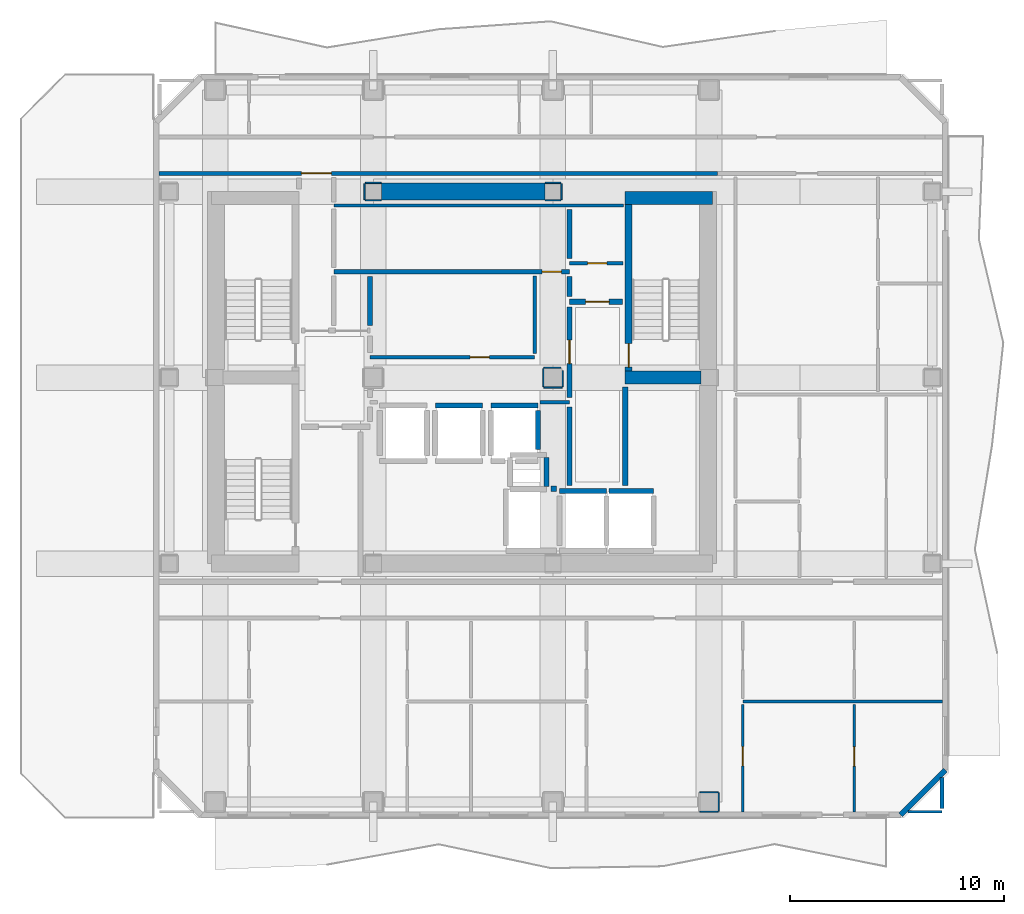
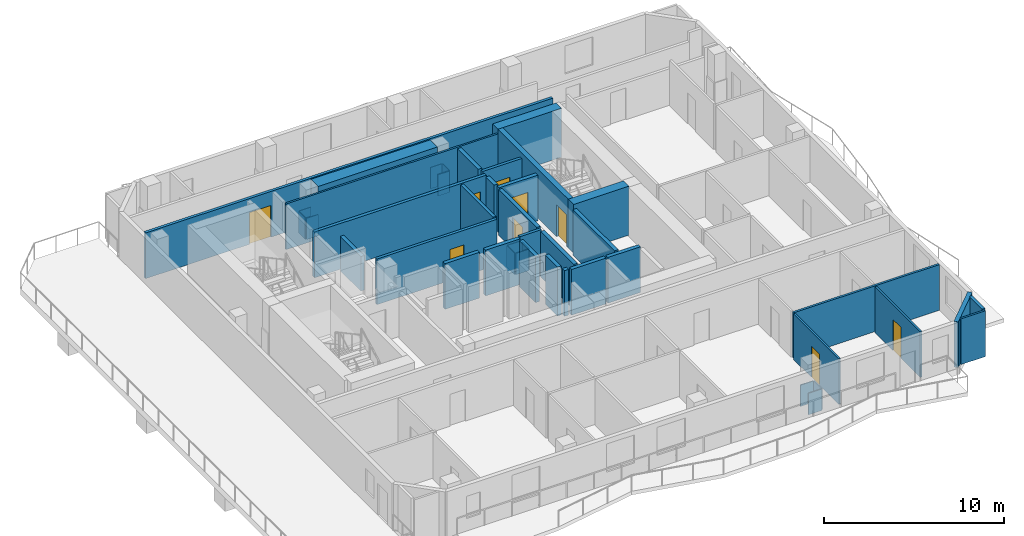
# One storey, part 4 of 10: 44 walls, 9 doors, 9 openings.
"""IFC4 building model written with IfcOpenShell, lengths in metres."""

from ifc_helpers import new_model, si_unit, direction, frame, frame_2d, origin, place, context, subcontext, project, spatial, rectangle, extrude, material, layer, layer_set, type_object, element, fill, save


model = new_model("IFC4")

# Units and contexts
model_context = context("Model", 3, precision=1e-05, world=origin(), true_north=direction((0.0, 1.0)))
body_context = subcontext(model_context, "Body", "Model", "MODEL_VIEW")
ifc_project = project(units=[si_unit("LENGTHUNIT", "METRE"), si_unit("AREAUNIT", "SQUARE_METRE"), si_unit("VOLUMEUNIT", "CUBIC_METRE"), si_unit("PLANEANGLEUNIT", "RADIAN"), si_unit("MASSUNIT", "GRAM", prefix="KILO")], contexts=[model_context])

# Site, building, storey
site_placement = place(None, origin())
site = spatial("IfcSite", under=ifc_project, at=site_placement, CompositionType="ELEMENT")
building_placement = place(site_placement, origin())
building = spatial("IfcBuilding", under=site, at=building_placement, Name="Solanera Arch Residences", CompositionType="ELEMENT")
storey_placement = place(building_placement, frame((0.0, 0.0, 210.080078125)))
storey = spatial("IfcBuildingStorey", under=building, at=storey_placement, Name="L61", CompositionType="ELEMENT", Elevation=210.080078125)

# Walls
ifc_material_1 = material(Name="Fire-Rated Gypsum Stud Partition", Category="gypsum")
ifc_layer_1 = layer(ifc_material_1, 0.06005859375)
ifc_layer_set_1 = layer_set([ifc_layer_1], Name="Fire-Rated Gypsum Stud Partition")
wall_type_1 = type_object("IfcWallType", Name="Column Acoustic Furring Wall 60", PredefinedType="PARTITIONING", material=ifc_layer_set_1)
for number, where, z_axis, x_axis, name in (
    (1, (20.425048828125, 38.992919921875, 0.0), (0.0, 0.0, 1.0), (1.0, 0.0, 0.0), "L61 Column Furring 3S"),
    (2, (20.425048828125, 39.806884765625, 0.0), (0.0, 0.0, 1.0), (1.0, 0.0, 0.0), "L61 Column Furring 3N"),
):
    element("IfcWall", number, at=place(storey_placement, frame(where, z_axis=z_axis, x_axis=x_axis)), inside=storey, type_object=wall_type_1, Name=name, PredefinedType="PARTITIONING", context=body_context, shape_type="SweptSolid", body=[
        extrude(rectangle(XDim=0.741943359375, YDim=0.06005859375, at=frame_2d((0.37109375, 0.0))), origin(), (0.0, 0.0, 1.0), 1.449951171875),
    ])
wall_1_placement = place(storey_placement, frame((20.39306640625, 39.02490234375, 0.0), z_axis=(0.0, 0.0, 1.0), x_axis=(0.0, 1.0, 0.0)))
element("IfcWall", 3, at=wall_1_placement, inside=storey, type_object=wall_type_1, Name="L61 Column Furring 3W", PredefinedType="PARTITIONING", context=body_context, shape_type="SweptSolid", body=[
    extrude(rectangle(XDim=0.75, YDim=0.06005859375, at=frame_2d((0.375, 0.0))), origin(), (0.0, 0.0, 1.0), 1.449951171875),
])
for number, where, z_axis, x_axis, name in (
    (4, (28.8330078125, 38.992919921875, 0.0), (0.0, 0.0, 1.0), (1.0, 0.0, 0.0), "L61 Column Furring 4S"),
    (5, (28.8330078125, 39.806884765625, 0.0), (0.0, 0.0, 1.0), (1.0, 0.0, 0.0), "L61 Column Furring 4N"),
):
    element("IfcWall", number, at=place(storey_placement, frame(where, z_axis=z_axis, x_axis=x_axis)), inside=storey, type_object=wall_type_1, Name=name, PredefinedType="PARTITIONING", context=body_context, shape_type="SweptSolid", body=[
        extrude(rectangle(XDim=0.741943359375, YDim=0.06005859375, at=frame_2d((0.37109375, 0.0))), origin(), (0.0, 0.0, 1.0), 1.449951171875),
    ])
wall_2_placement = place(storey_placement, frame((29.60693359375, 39.02490234375, 0.0), z_axis=(0.0, 0.0, 1.0), x_axis=(0.0, 1.0, 0.0)))
element("IfcWall", 6, at=wall_2_placement, inside=storey, type_object=wall_type_1, Name="L61 Column Furring 4E", PredefinedType="PARTITIONING", context=body_context, shape_type="SweptSolid", body=[
    extrude(rectangle(XDim=0.75, YDim=0.06005859375, at=frame_2d((0.375, 0.0))), origin(), (0.0, 0.0, 1.0), 1.449951171875),
])
wall_3_placement = place(storey_placement, frame((28.77490234375, 30.242919921875, 0.0), z_axis=(0.0, 0.0, 1.0), x_axis=(1.0, 0.0, 0.0)))
element("IfcWall", 7, at=wall_3_placement, inside=storey, type_object=wall_type_1, Name="L61 Column Furring 8S", PredefinedType="PARTITIONING", context=body_context, shape_type="SweptSolid", body=[
    extrude(rectangle(XDim=0.85009765625, YDim=0.06005859375, at=frame_2d((0.425048828125, 0.0))), origin(), (0.0, 0.0, 1.0), 1.449951171875),
])
wall_4_placement = place(storey_placement, frame((28.77490234375, 31.156982421875, 0.0), z_axis=(0.0, 0.0, 1.0), x_axis=(1.0, 0.0, 0.0)))
element("IfcWall", 8, at=wall_4_placement, inside=storey, type_object=wall_type_1, Name="L61 Column Furring 8N", PredefinedType="PARTITIONING", context=body_context, shape_type="SweptSolid", body=[
    extrude(rectangle(XDim=0.794189453125, YDim=0.06005859375, at=frame_2d((0.39697265625, 0.0))), origin(), (0.0, 0.0, 1.0), 1.449951171875),
])
wall_5_placement = place(storey_placement, frame((28.742919921875, 30.27490234375, 0.0), z_axis=(0.0, 0.0, 1.0), x_axis=(0.0, 1.0, 0.0)))
element("IfcWall", 9, at=wall_5_placement, inside=storey, type_object=wall_type_1, Name="L61 Column Furring 8W", PredefinedType="PARTITIONING", context=body_context, shape_type="SweptSolid", body=[
    extrude(rectangle(XDim=0.85009765625, YDim=0.06005859375, at=frame_2d((0.425048828125, 0.0))), origin(), (0.0, 0.0, 1.0), 1.449951171875),
])
wall_6_placement = place(storey_placement, frame((29.656982421875, 30.27490234375, 0.0), z_axis=(0.0, 0.0, 1.0), x_axis=(0.0, 1.0, 0.0)))
element("IfcWall", 10, at=wall_6_placement, inside=storey, type_object=wall_type_1, Name="L61 Column Furring 8E", PredefinedType="PARTITIONING", context=body_context, shape_type="SweptSolid", body=[
    extrude(rectangle(XDim=0.757080078125, YDim=0.06005859375, at=frame_2d((0.37841796875, 0.0))), origin(), (0.0, 0.0, 1.0), 1.449951171875),
])
for number, where, z_axis, x_axis, name in (
    (11, (36.074951171875, 10.39306640625, 0.0), (0.0, 0.0, 1.0), (1.0, 0.0, 0.0), "L61 Column Furring 15S"),
    (12, (36.074951171875, 11.306884765625, 0.0), (0.0, 0.0, 1.0), (1.0, 0.0, 0.0), "L61 Column Furring 15N"),
):
    element("IfcWall", number, at=place(storey_placement, frame(where, z_axis=z_axis, x_axis=x_axis)), inside=storey, type_object=wall_type_1, Name=name, PredefinedType="PARTITIONING", context=body_context, shape_type="SweptSolid", body=[
        extrude(rectangle(XDim=0.85009765625, YDim=0.06005859375, at=frame_2d((0.425048828125, 0.0))), origin(), (0.0, 0.0, 1.0), 1.449951171875),
    ])
wall_7_placement = place(storey_placement, frame((36.95703125, 10.425048828125, 0.0), z_axis=(0.0, 0.0, 1.0), x_axis=(0.0, 1.0, 0.0)))
element("IfcWall", 13, at=wall_7_placement, inside=storey, type_object=wall_type_1, Name="L61 Column Furring 15E", PredefinedType="PARTITIONING", context=body_context, shape_type="SweptSolid", body=[
    extrude(rectangle(XDim=0.849853515625, YDim=0.06005859375, at=frame_2d((0.4248046875, 0.0))), origin(), (0.0, 0.0, 1.0), 1.449951171875),
])

# Wall, opening, door
ifc_material_2 = material(Name="Concrete C40/50 (f'c = 45 MPa)", Category="concrete")
ifc_layer_2 = layer(ifc_material_2, 0.320068359375)
ifc_layer_set_2 = layer_set([ifc_layer_2], Name="Concrete C40/50 (f'c = 45 MPa)")
wall_type_2 = type_object("IfcWallType", Name="Core Shear Wall CW-320", PredefinedType="SHEAR", material=ifc_layer_set_2)
wall_8_placement = place(storey_placement, frame((32.739990234375, 31.0, 0.0), z_axis=(0.0, 0.0, 1.0), x_axis=(0.0, 1.0, 0.0)))
wall_8 = element("IfcWall", 14, at=wall_8_placement, inside=storey, type_object=wall_type_2, Name="L61 Stair ST-T2 West Shear Wall", PredefinedType="SHEAR", context=body_context, shape_type="SweptSolid", body=[
    extrude(rectangle(XDim=7.800048828125, YDim=0.320068359375, at=frame_2d((3.89990234375, 0.0))), origin(), (0.0, 0.0, 1.0), 3.31982421875),
])
opening_1_placement = place(wall_8_placement, frame((0.18994140625, 0.0, 0.0)))
opening_1 = element("IfcOpeningElement", 15, at=opening_1_placement, cuts=wall_8, Name="Opening DF-01", PredefinedType="OPENING", context=body_context, shape_type="SweptSolid", body=[
    extrude(rectangle(XDim=1.10009765625, YDim=2.14990234375, at=frame_2d((0.550048828125, 1.074951171875))), frame((0.0, 0.169921875, 0.0), z_axis=(0.0, -1.0, 0.0), x_axis=(1.0, 0.0, 0.0)), (0.0, 0.0, 1.0), 0.3401),
])
ifc_material_3 = material(Name="Fire-Rated Architectural Hardwood", Category="wood")
door_type_1 = type_object("IfcDoorType", Name="Stair Exit Fire Door DF-01", OperationType="NOTDEFINED", PredefinedType="DOOR", material=ifc_material_3)
door_1_placement = place(opening_1_placement, origin())
door_1 = element("IfcDoor", 16, at=door_1_placement, inside=storey, type_object=door_type_1, Name="DR-L61-STAIR-ST-T2", OperationType="SINGLE_SWING_LEFT", OverallHeight=2.14990234375, OverallWidth=1.10009765625, PredefinedType="DOOR", context=body_context, shape_type="SweptSolid", body=[
    extrude(rectangle(XDim=1.10009765625, YDim=2.14990234375, at=frame_2d((0.550048828125, 1.074951171875))), frame((0.0, 0.02490234375, 0.0), z_axis=(0.0, -1.0, 0.0), x_axis=(1.0, 0.0, 0.0)), (0.0, 0.0, 1.0), 0.050048828125),
])
fill(opening_1, door_1)

# Walls
ifc_material_4 = material(Name="Concrete C40/50 (f'c = 45 MPa)", Category="concrete")
ifc_layer_3 = layer(ifc_material_4, 0.60009765625)
ifc_layer_set_3 = layer_set([ifc_layer_3], Name="Concrete C40/50 (f'c = 45 MPa)")
wall_type_3 = type_object("IfcWallType", Name="Core Shear Wall CW-600", PredefinedType="SHEAR", material=ifc_layer_set_3)
wall_9_placement = place(storey_placement, frame((32.580078125, 39.10009765625, 0.0), z_axis=(0.0, 0.0, 1.0), x_axis=(1.0, 0.0, 0.0)))
element("IfcWall", 17, at=wall_9_placement, inside=storey, type_object=wall_type_3, Name="L61 North-East Core Shear Wall", PredefinedType="SHEAR", context=body_context, shape_type="SweptSolid", body=[
    extrude(rectangle(XDim=4.079833984375, YDim=0.60009765625, at=frame_2d((2.0400390625, 0.0))), origin(), (0.0, 0.0, 1.0), 3.31982421875),
])
wall_10_placement = place(storey_placement, frame((32.580078125, 30.699951171875, 0.0), z_axis=(0.0, 0.0, 1.0), x_axis=(1.0, 0.0, 0.0)))
element("IfcWall", 18, at=wall_10_placement, inside=storey, type_object=wall_type_3, Name="L61 East Stair Far-Landing Shear Wall", PredefinedType="SHEAR", context=body_context, shape_type="SweptSolid", body=[
    extrude(rectangle(XDim=3.5400390625, YDim=0.60009765625, at=frame_2d((1.77001953125, 0.0))), origin(), (0.0, 0.0, 1.0), 3.31982421875),
])
ifc_material_5 = material(Name="Concrete C40/50 (f'c = 45 MPa)", Category="concrete")
ifc_layer_4 = layer(ifc_material_5, 0.800048828125)
ifc_layer_set_4 = layer_set([ifc_layer_4], Name="Concrete C40/50 (f'c = 45 MPa)")
wall_type_4 = type_object("IfcWallType", Name="Core Shear Wall CW-800", PredefinedType="SHEAR", material=ifc_layer_set_4)
wall_11_placement = place(storey_placement, frame((21.179931640625, 39.39990234375, 0.0), z_axis=(0.0, 0.0, 1.0), x_axis=(1.0, 0.0, 0.0)))
element("IfcWall", 19, at=wall_11_placement, inside=storey, type_object=wall_type_4, Name="L61 Central North Core Shear Wall", PredefinedType="SHEAR", context=body_context, shape_type="SweptSolid", body=[
    extrude(rectangle(XDim=7.64013671875, YDim=0.800048828125, at=frame_2d((3.820068359375, 0.0))), origin(), (0.0, 0.0, 1.0), 3.31982421875),
])
ifc_material_6 = material(Name="Autoclaved Aerated Concrete Blockwork", Category="masonry")
ifc_layer_5 = layer(ifc_material_6, 0.179931640625)
ifc_layer_set_5 = layer_set([ifc_layer_5], Name="Autoclaved Aerated Concrete Blockwork")
wall_type_5 = type_object("IfcWallType", Name="Corridor Fire Partition 180", PredefinedType="PARTITIONING", material=ifc_layer_set_5)
wall_12_placement = place(storey_placement, frame((28.593017578125, 29.550048828125, 0.0), z_axis=(0.0, 0.0, 1.0), x_axis=(1.0, 0.0, 0.0)))
element("IfcWall", 20, at=wall_12_placement, inside=storey, type_object=wall_type_5, Name="L61 Interior Partition H8 2", PredefinedType="PARTITIONING", context=body_context, shape_type="SweptSolid", body=[
    extrude(rectangle(XDim=1.382080078125, YDim=0.179931640625, at=frame_2d((0.69091796875, 0.0))), origin(), (0.0, 0.0, 1.0), 3.099853515625),
])

# Wall, opening, door
wall_13_placement = place(storey_placement, frame((20.64990234375, 31.64990234375, 0.0), z_axis=(0.0, 0.0, 1.0), x_axis=(1.0, 0.0, 0.0)))
wall_13 = element("IfcWall", 21, at=wall_13_placement, inside=storey, type_object=wall_type_5, Name="L61 Interior Partition H9", PredefinedType="PARTITIONING", context=body_context, shape_type="SweptSolid", body=[
    extrude(rectangle(XDim=7.7001953125, YDim=0.179931640625, at=frame_2d((3.85009765625, 0.0))), origin(), (0.0, 0.0, 1.0), 3.099853515625),
])
opening_2_placement = place(wall_13_placement, frame((4.673095703125, 0.0, 0.0)))
opening_2 = element("IfcOpeningElement", 22, at=opening_2_placement, cuts=wall_13, Name="Opening DI-02", PredefinedType="OPENING", context=body_context, shape_type="SweptSolid", body=[
    extrude(rectangle(XDim=0.89990234375, YDim=2.10009765625, at=frame_2d((0.449951171875, 1.050048828125))), frame((0.0, 0.10009765625, 0.0), z_axis=(0.0, -1.0, 0.0), x_axis=(1.0, 0.0, 0.0)), (0.0, 0.0, 1.0), 0.1999),
])
ifc_material_7 = material(Name="Fire-Rated Architectural Hardwood", Category="wood")
door_type_2 = type_object("IfcDoorType", Name="Suite Room Swing Door DI-02", OperationType="NOTDEFINED", PredefinedType="DOOR", material=ifc_material_7)
door_2_placement = place(opening_2_placement, origin())
door_2 = element("IfcDoor", 23, at=door_2_placement, inside=storey, type_object=door_type_2, Name="DR-L61-IN-013", OperationType="SINGLE_SWING_RIGHT", OverallHeight=2.10009765625, OverallWidth=0.89990234375, PredefinedType="DOOR", context=body_context, shape_type="SweptSolid", body=[
    extrude(rectangle(XDim=0.89990234375, YDim=2.10009765625, at=frame_2d((0.449951171875, 1.050048828125))), frame((0.0, 0.02490234375, 0.0), z_axis=(0.0, -1.0, 0.0), x_axis=(1.0, 0.0, 0.0)), (0.0, 0.0, 1.0), 0.050048828125),
])
fill(opening_2, door_2)

wall_14_placement = place(storey_placement, frame((29.97509765625, 36.050048828125, 0.0), z_axis=(0.0, 0.0, 1.0), x_axis=(1.0, 0.0, 0.0)))
wall_14 = element("IfcWall", 24, at=wall_14_placement, inside=storey, type_object=wall_type_5, Name="L61 Interior Partition H10", PredefinedType="PARTITIONING", context=body_context, shape_type="SweptSolid", body=[
    extrude(rectangle(XDim=2.5048828125, YDim=0.179931640625, at=frame_2d((1.25244140625, 0.0))), origin(), (0.0, 0.0, 1.0), 3.099853515625),
])
opening_3_placement = place(wall_14_placement, frame((0.85205078125, 0.0, 0.0)))
opening_3 = element("IfcOpeningElement", 25, at=opening_3_placement, cuts=wall_14, Name="Opening DI-02", PredefinedType="OPENING", context=body_context, shape_type="SweptSolid", body=[
    extrude(rectangle(XDim=0.89990234375, YDim=2.10009765625, at=frame_2d((0.449951171875, 1.050048828125))), frame((0.0, 0.10009765625, 0.0), z_axis=(0.0, -1.0, 0.0), x_axis=(1.0, 0.0, 0.0)), (0.0, 0.0, 1.0), 0.1999),
])
door_3_placement = place(opening_3_placement, origin())
door_3 = element("IfcDoor", 26, at=door_3_placement, inside=storey, type_object=door_type_2, Name="DR-L61-IN-011", OperationType="SINGLE_SWING_RIGHT", OverallHeight=2.10009765625, OverallWidth=0.89990234375, PredefinedType="DOOR", context=body_context, shape_type="SweptSolid", body=[
    extrude(rectangle(XDim=0.89990234375, YDim=2.10009765625, at=frame_2d((0.449951171875, 1.050048828125))), frame((0.0, 0.02490234375, 0.0), z_axis=(0.0, -1.0, 0.0), x_axis=(1.0, 0.0, 0.0)), (0.0, 0.0, 1.0), 0.050048828125),
])
fill(opening_3, door_3)

wall_15_placement = place(storey_placement, frame((10.787109375, 40.25, 0.0), z_axis=(0.0, 0.0, 1.0), x_axis=(1.0, 0.0, 0.0)))
wall_15 = element("IfcWall", 27, at=wall_15_placement, inside=storey, type_object=wall_type_5, Name="L61 Interior Partition H11 1", PredefinedType="PARTITIONING", context=body_context, shape_type="SweptSolid", body=[
    extrude(rectangle(XDim=26.101806640625, YDim=0.179931640625, at=frame_2d((13.05078125, 0.0))), origin(), (0.0, 0.0, 1.0), 3.099853515625),
])
opening_4_placement = place(wall_15_placement, frame((6.64794921875, 0.0, 0.0)))
opening_4 = element("IfcOpeningElement", 28, at=opening_4_placement, cuts=wall_15, Name="Opening DF-03", PredefinedType="OPENING", context=body_context, shape_type="SweptSolid", body=[
    extrude(rectangle(XDim=1.39990234375, YDim=2.14990234375, at=frame_2d((0.699951171875, 1.074951171875))), frame((0.0, 0.10009765625, 0.0), z_axis=(0.0, -1.0, 0.0), x_axis=(1.0, 0.0, 0.0)), (0.0, 0.0, 1.0), 0.1999),
])
ifc_material_8 = material(Name="Fire-Rated Architectural Hardwood", Category="wood")
door_type_3 = type_object("IfcDoorType", Name="Corridor Smoke Door DF-03", OperationType="NOTDEFINED", PredefinedType="DOOR", material=ifc_material_8)
door_4_placement = place(opening_4_placement, origin())
door_4 = element("IfcDoor", 29, at=door_4_placement, inside=storey, type_object=door_type_3, Name="DR-L61-IN-009", OperationType="SINGLE_SWING_RIGHT", OverallHeight=2.14990234375, OverallWidth=1.39990234375, PredefinedType="DOOR", context=body_context, shape_type="SweptSolid", body=[
    extrude(rectangle(XDim=1.39990234375, YDim=2.14990234375, at=frame_2d((0.699951171875, 1.074951171875))), frame((0.0, 0.02490234375, 0.0), z_axis=(0.0, -1.0, 0.0), x_axis=(1.0, 0.0, 0.0)), (0.0, 0.0, 1.0), 0.050048828125),
])
fill(opening_4, door_4)

# Walls
wall_16_placement = place(storey_placement, frame((28.35009765625, 31.837890625, 0.0), z_axis=(0.0, 0.0, 1.0), x_axis=(0.0, 1.0, 0.0)))
element("IfcWall", 30, at=wall_16_placement, inside=storey, type_object=wall_type_5, Name="L61 Interior Partition V9", PredefinedType="PARTITIONING", context=body_context, shape_type="SweptSolid", body=[
    extrude(rectangle(XDim=3.614013671875, YDim=0.179931640625, at=frame_2d((1.80712890625, 0.0))), origin(), (0.0, 0.0, 1.0), 3.099853515625),
])
wall_17_placement = place(storey_placement, frame((47.39990234375, 10.55810546875, 0.0), z_axis=(0.0, 0.0, 1.0), x_axis=(0.0, 1.0, 0.0)))
element("IfcWall", 31, at=wall_17_placement, inside=storey, type_object=wall_type_5, Name="L61 Interior Partition V10 1", PredefinedType="PARTITIONING", context=body_context, shape_type="SweptSolid", body=[
    extrude(rectangle(XDim=1.430908203125, YDim=0.179931640625, at=frame_2d((0.71533203125, 0.0))), origin(), (0.0, 0.0, 1.0), 3.099853515625),
])
ifc_material_9 = material(Name="Precast Concrete C35/45", Category="concrete")
ifc_layer_6 = layer(ifc_material_9, 0.260009765625)
ifc_layer_set_6 = layer_set([ifc_layer_6], Name="Precast Concrete C35/45")
wall_type_6 = type_object("IfcWallType", Name="Exterior Wall Precast Masonry-Frame 260", PredefinedType="STANDARD", material=ifc_layer_set_6)
wall_18_placement = place(storey_placement, frame((47.554931640625, 12.344970703125, 0.0), z_axis=(0.0, 0.0, 1.0), x_axis=(-0.707106781187, -0.707106781187, 0.0)))
element("IfcWall", 32, at=wall_18_placement, inside=storey, type_object=wall_type_6, Name="L61 Tower Exterior Precast Masonry-Frame Wall CH5", PredefinedType="STANDARD", context=body_context, shape_type="SweptSolid", body=[
    extrude(rectangle(XDim=2.9697265625, YDim=0.260009765625, at=frame_2d((1.48486328125, 0.0))), origin(), (0.0, 0.0, 1.0), 3.099853515625),
])

# Wall, opening, door
ifc_material_10 = material(Name="Autoclaved Aerated Concrete Blockwork", Category="masonry")
ifc_layer_7 = layer(ifc_material_10, 0.199951171875)
ifc_layer_set_7 = layer_set([ifc_layer_7], Name="Autoclaved Aerated Concrete Blockwork")
wall_type_7 = type_object("IfcWallType", Name="Party Wall Acoustic 200", PredefinedType="PARTITIONING", material=ifc_layer_set_7)
wall_19_placement = place(storey_placement, frame((18.949951171875, 35.64990234375, 0.0), z_axis=(0.0, 0.0, 1.0), x_axis=(1.0, 0.0, 0.0)))
wall_19 = element("IfcWall", 33, at=wall_19_placement, inside=storey, type_object=wall_type_7, Name="L61 Interior Partition H6", PredefinedType="PARTITIONING", context=body_context, shape_type="SweptSolid", body=[
    extrude(rectangle(XDim=11.025146484375, YDim=0.199951171875, at=frame_2d((5.5126953125, 0.0))), origin(), (0.0, 0.0, 1.0), 3.099853515625),
])
opening_5_placement = place(wall_19_placement, frame((9.7490234375, 0.0, 0.0)))
opening_5 = element("IfcOpeningElement", 34, at=opening_5_placement, cuts=wall_19, Name="Opening DI-02", PredefinedType="OPENING", context=body_context, shape_type="SweptSolid", body=[
    extrude(rectangle(XDim=0.89990234375, YDim=2.10009765625, at=frame_2d((0.449951171875, 1.050048828125))), frame((0.0, 0.110107421875, 0.0), z_axis=(0.0, -1.0, 0.0), x_axis=(1.0, 0.0, 0.0)), (0.0, 0.0, 1.0), 0.22),
])
door_5_placement = place(opening_5_placement, origin())
door_5 = element("IfcDoor", 35, at=door_5_placement, inside=storey, type_object=door_type_2, Name="DR-L61-IN-012", OperationType="SINGLE_SWING_LEFT", OverallHeight=2.10009765625, OverallWidth=0.89990234375, PredefinedType="DOOR", context=body_context, shape_type="SweptSolid", body=[
    extrude(rectangle(XDim=0.89990234375, YDim=2.10009765625, at=frame_2d((0.449951171875, 1.050048828125))), frame((0.0, 0.02490234375, 0.0), z_axis=(0.0, -1.0, 0.0), x_axis=(1.0, 0.0, 0.0)), (0.0, 0.0, 1.0), 0.050048828125),
])
fill(opening_5, door_5)

# Walls
ifc_material_11 = material(Name="Concrete C40/50 (f'c = 45 MPa)", Category="concrete")
ifc_layer_8 = layer(ifc_material_11, 0.239990234375)
ifc_layer_set_8 = layer_set([ifc_layer_8], Name="Concrete C40/50 (f'c = 45 MPa)")
wall_type_8 = type_object("IfcWallType", Name="Ramp Bearing Shear Wall RW-240", PredefinedType="SHEAR", material=ifc_layer_set_8)
wall_20_placement = place(storey_placement, frame((28.89990234375, 25.60009765625, 0.0), z_axis=(0.0, 0.0, 1.0), x_axis=(0.0, 1.0, 0.0)))
element("IfcWall", 36, at=wall_20_placement, inside=storey, type_object=wall_type_8, Name="L61 Core MEP Riser East Shaft Wall", PredefinedType="SHEAR", context=body_context, shape_type="SweptSolid", body=[
    extrude(rectangle(XDim=1.35986328125, YDim=0.239990234375, at=frame_2d((0.679931640625, 0.0))), origin(), (0.0, 0.0, 1.0), 3.31982421875),
])
ifc_material_12 = material(Name="Autoclaved Aerated Concrete Blockwork", Category="masonry")
ifc_layer_9 = layer(ifc_material_12, 0.239990234375)
ifc_layer_set_9 = layer_set([ifc_layer_9], Name="Autoclaved Aerated Concrete Blockwork")
wall_type_9 = type_object("IfcWallType", Name="Shaft Wall Fire-Rated 240", PredefinedType="PARTITIONING", material=ifc_layer_set_9)
for number, where, z_axis, x_axis, name in (
    (37, (23.699951171875, 29.39990234375, 0.0), (0.0, 0.0, 1.0), (1.0, 0.0, 0.0), "L61 Lift PL-H2 Hoistway Wall N"),
    (38, (26.300048828125, 29.39990234375, 0.0), (0.0, 0.0, 1.0), (1.0, 0.0, 0.0), "L61 Lift PL-H3 Hoistway Wall N"),
):
    element("IfcWall", number, at=place(storey_placement, frame(where, z_axis=z_axis, x_axis=x_axis)), inside=storey, type_object=wall_type_9, Name=name, PredefinedType="PARTITIONING", context=body_context, shape_type="SweptSolid", body=[
        extrude(rectangle(XDim=2.199951171875, YDim=0.239990234375, at=frame_2d((1.10009765625, 0.0))), origin(), (0.0, 0.0, 1.0), 3.099853515625),
    ])
wall_21_placement = place(storey_placement, frame((28.5, 27.330078125, 0.0), z_axis=(0.0, 0.0, 1.0), x_axis=(0.0, 1.0, 0.0)))
element("IfcWall", 39, at=wall_21_placement, inside=storey, type_object=wall_type_9, Name="L61 Lift PL-H3 Hoistway Wall E", PredefinedType="PARTITIONING", context=body_context, shape_type="SweptSolid", body=[
    extrude(rectangle(XDim=1.822021484375, YDim=0.239990234375, at=frame_2d((0.9111328125, 0.0))), origin(), (0.0, 0.0, 1.0), 3.099853515625),
])
wall_22_placement = place(storey_placement, frame((29.5, 25.39990234375, 0.0), z_axis=(0.0, 0.0, 1.0), x_axis=(1.0, 0.0, 0.0)))
element("IfcWall", 40, at=wall_22_placement, inside=storey, type_object=wall_type_9, Name="L61 Lift FFL-1 Hoistway Wall N", PredefinedType="PARTITIONING", context=body_context, shape_type="SweptSolid", body=[
    extrude(rectangle(XDim=2.199951171875, YDim=0.239990234375, at=frame_2d((1.10009765625, 0.0))), origin(), (0.0, 0.0, 1.0), 3.099853515625),
])
wall_23_placement = place(storey_placement, frame((31.827880859375, 25.39990234375, 0.0), z_axis=(0.0, 0.0, 1.0), x_axis=(1.0, 0.0, 0.0)))
element("IfcWall", 41, at=wall_23_placement, inside=storey, type_object=wall_type_9, Name="L61 Lift FFL-2 Hoistway Wall N", PredefinedType="PARTITIONING", context=body_context, shape_type="SweptSolid", body=[
    extrude(rectangle(XDim=2.072021484375, YDim=0.239990234375, at=frame_2d((1.0361328125, 0.0))), origin(), (0.0, 0.0, 1.0), 3.099853515625),
])
wall_24_placement = place(storey_placement, frame((29.10302734375, 25.5, 0.0), z_axis=(0.0, 0.0, 1.0), x_axis=(1.0, 0.0, 0.0)))
element("IfcWall", 42, at=wall_24_placement, inside=storey, type_object=wall_type_9, Name="L61 Lift SVL-1 Hoistway Wall N", PredefinedType="PARTITIONING", context=body_context, shape_type="SweptSolid", body=[
    extrude(rectangle(XDim=0.26904296875, YDim=0.239990234375, at=frame_2d((0.134521484375, 0.0))), origin(), (0.0, 0.0, 1.0), 3.099853515625),
])

# Wall, opening, door
wall_25_placement = place(storey_placement, frame((29.97509765625, 34.25, 0.0), z_axis=(0.0, 0.0, 1.0), x_axis=(1.0, 0.0, 0.0)))
wall_25 = element("IfcWall", 43, at=wall_25_placement, inside=storey, type_object=wall_type_9, Name="L61 Interior Partition H5", PredefinedType="PARTITIONING", context=body_context, shape_type="SweptSolid", body=[
    extrude(rectangle(XDim=2.474853515625, YDim=0.239990234375, at=frame_2d((1.2373046875, 0.0))), origin(), (0.0, 0.0, 1.0), 3.099853515625),
])
opening_6_placement = place(wall_25_placement, frame((0.751953125, 0.0, 0.0)))
opening_6 = element("IfcOpeningElement", 44, at=opening_6_placement, cuts=wall_25, Name="Opening DF-02", PredefinedType="OPENING", context=body_context, shape_type="SweptSolid", body=[
    extrude(rectangle(XDim=1.10009765625, YDim=2.14990234375, at=frame_2d((0.550048828125, 1.074951171875))), frame((0.0, 0.1298828125, 0.0), z_axis=(0.0, -1.0, 0.0), x_axis=(1.0, 0.0, 0.0)), (0.0, 0.0, 1.0), 0.26),
])
ifc_material_13 = material(Name="Fire-Rated Architectural Hardwood", Category="wood")
door_type_4 = type_object("IfcDoorType", Name="Firefighting Lobby Fire Door DF-02", OperationType="NOTDEFINED", PredefinedType="DOOR", material=ifc_material_13)
door_6_placement = place(opening_6_placement, origin())
door_6 = element("IfcDoor", 45, at=door_6_placement, inside=storey, type_object=door_type_4, Name="DR-L61-IN-007", OperationType="SINGLE_SWING_RIGHT", OverallHeight=2.14990234375, OverallWidth=1.10009765625, PredefinedType="DOOR", context=body_context, shape_type="SweptSolid", body=[
    extrude(rectangle(XDim=1.10009765625, YDim=2.14990234375, at=frame_2d((0.550048828125, 1.074951171875))), frame((0.0, 0.02490234375, 0.0), z_axis=(0.0, -1.0, 0.0), x_axis=(1.0, 0.0, 0.0)), (0.0, 0.0, 1.0), 0.050048828125),
])
fill(opening_6, door_6)

# Walls
wall_26_placement = place(storey_placement, frame((20.64990234375, 33.14794921875, 0.0), z_axis=(0.0, 0.0, 1.0), x_axis=(0.0, 1.0, 0.0)))
element("IfcWall", 46, at=wall_26_placement, inside=storey, type_object=wall_type_9, Name="L61 Interior Partition V3 4", PredefinedType="PARTITIONING", context=body_context, shape_type="SweptSolid", body=[
    extrude(rectangle(XDim=2.274169921875, YDim=0.239990234375, at=frame_2d((1.13720703125, 0.0))), origin(), (0.0, 0.0, 1.0), 2.3349609375),
])
wall_27_placement = place(storey_placement, frame((29.97509765625, 25.64794921875, 0.0), z_axis=(0.0, 0.0, 1.0), x_axis=(0.0, 1.0, 0.0)))
element("IfcWall", 47, at=wall_27_placement, inside=storey, type_object=wall_type_9, Name="L61 Interior Partition V4 1", PredefinedType="PARTITIONING", context=body_context, shape_type="SweptSolid", body=[
    extrude(rectangle(XDim=3.68408203125, YDim=0.239990234375, at=frame_2d((1.842041015625, 0.0))), origin(), (0.0, 0.0, 1.0), 3.099853515625),
])

# Wall, opening, door
wall_28_placement = place(storey_placement, frame((29.97509765625, 29.76806640625, 0.0), z_axis=(0.0, 0.0, 1.0), x_axis=(0.0, 1.0, 0.0)))
wall_28 = element("IfcWall", 48, at=wall_28_placement, inside=storey, type_object=wall_type_9, Name="L61 Interior Partition V4 2", PredefinedType="PARTITIONING", context=body_context, shape_type="SweptSolid", body=[
    extrude(rectangle(XDim=4.23388671875, YDim=0.239990234375, at=frame_2d((2.116943359375, 0.0))), origin(), (0.0, 0.0, 1.0), 3.099853515625),
])
opening_7_placement = place(wall_28_placement, frame((1.58203125, 0.0, 0.0)))
opening_7 = element("IfcOpeningElement", 49, at=opening_7_placement, cuts=wall_28, Name="Opening DF-02", PredefinedType="OPENING", context=body_context, shape_type="SweptSolid", body=[
    extrude(rectangle(XDim=1.10009765625, YDim=2.14990234375, at=frame_2d((0.550048828125, 1.074951171875))), frame((0.0, 0.1298828125, 0.0), z_axis=(0.0, -1.0, 0.0), x_axis=(1.0, 0.0, 0.0)), (0.0, 0.0, 1.0), 0.26),
])
door_7_placement = place(opening_7_placement, origin())
door_7 = element("IfcDoor", 50, at=door_7_placement, inside=storey, type_object=door_type_4, Name="DR-L61-IN-006", OperationType="SINGLE_SWING_LEFT", OverallHeight=2.14990234375, OverallWidth=1.10009765625, PredefinedType="DOOR", context=body_context, shape_type="SweptSolid", body=[
    extrude(rectangle(XDim=1.10009765625, YDim=2.14990234375, at=frame_2d((0.550048828125, 1.074951171875))), frame((0.0, 0.02490234375, 0.0), z_axis=(0.0, -1.0, 0.0), x_axis=(1.0, 0.0, 0.0)), (0.0, 0.0, 1.0), 0.050048828125),
])
fill(opening_7, door_7)

# Walls
wall_29_placement = place(storey_placement, frame((29.97509765625, 34.498046875, 0.0), z_axis=(0.0, 0.0, 1.0), x_axis=(0.0, 1.0, 0.0)))
element("IfcWall", 51, at=wall_29_placement, inside=storey, type_object=wall_type_9, Name="L61 Interior Partition V4 3", PredefinedType="PARTITIONING", context=body_context, shape_type="SweptSolid", body=[
    extrude(rectangle(XDim=0.924072265625, YDim=0.239990234375, at=frame_2d((0.4619140625, 0.0))), origin(), (0.0, 0.0, 1.0), 3.099853515625),
])
wall_30_placement = place(storey_placement, frame((29.97509765625, 36.26806640625, 0.0), z_axis=(0.0, 0.0, 1.0), x_axis=(0.0, 1.0, 0.0)))
element("IfcWall", 52, at=wall_30_placement, inside=storey, type_object=wall_type_9, Name="L61 Interior Partition V4 4", PredefinedType="PARTITIONING", context=body_context, shape_type="SweptSolid", body=[
    extrude(rectangle(XDim=2.2939453125, YDim=0.239990234375, at=frame_2d((1.14697265625, 0.0))), origin(), (0.0, 0.0, 1.0), 3.099853515625),
])
wall_31_placement = place(storey_placement, frame((32.580078125, 25.64794921875, 0.0), z_axis=(0.0, 0.0, 1.0), x_axis=(0.0, 1.0, 0.0)))
element("IfcWall", 53, at=wall_31_placement, inside=storey, type_object=wall_type_9, Name="L61 Interior Partition V5", PredefinedType="PARTITIONING", context=body_context, shape_type="SweptSolid", body=[
    extrude(rectangle(XDim=4.6220703125, YDim=0.239990234375, at=frame_2d((2.31103515625, 0.0))), origin(), (0.0, 0.0, 1.0), 3.099853515625),
])
ifc_material_14 = material(Name="Fire-Rated Gypsum Stud Partition", Category="gypsum")
ifc_layer_10 = layer(ifc_material_14, 0.1201171875)
ifc_layer_set_10 = layer_set([ifc_layer_10], Name="Fire-Rated Gypsum Stud Partition")
wall_type_10 = type_object("IfcWallType", Name="Unit Drywall Partition 120", PredefinedType="PARTITIONING", material=ifc_layer_set_10)
wall_32_placement = place(storey_placement, frame((45.81103515625, 10.39990234375, 0.0), z_axis=(0.0, 0.0, 1.0), x_axis=(1.0, 0.0, 0.0)))
element("IfcWall", 54, at=wall_32_placement, inside=storey, type_object=wall_type_10, Name="L61 Interior Partition H20 2", PredefinedType="PARTITIONING", context=body_context, shape_type="SweptSolid", body=[
    extrude(rectangle(XDim=1.5888671875, YDim=0.1201171875, at=frame_2d((0.79443359375, 0.0))), origin(), (0.0, 0.0, 1.0), 3.099853515625),
])
wall_33_placement = place(storey_placement, frame((18.949951171875, 38.75, 0.0), z_axis=(0.0, 0.0, 1.0), x_axis=(1.0, 0.0, 0.0)))
element("IfcWall", 55, at=wall_33_placement, inside=storey, type_object=wall_type_10, Name="L61 Interior Partition H21", PredefinedType="PARTITIONING", context=body_context, shape_type="SweptSolid", body=[
    extrude(rectangle(XDim=13.56005859375, YDim=0.1201171875, at=frame_2d((6.780029296875, 0.0))), origin(), (0.0, 0.0, 1.0), 3.099853515625),
])

# Wall, opening, door
wall_34_placement = place(storey_placement, frame((38.080078125, 10.386962890625, 0.0), z_axis=(0.0, 0.0, 1.0), x_axis=(0.0, 1.0, 0.0)))
wall_34 = element("IfcWall", 56, at=wall_34_placement, inside=storey, type_object=wall_type_10, Name="L61 Interior Partition V21 1", PredefinedType="PARTITIONING", context=body_context, shape_type="SweptSolid", body=[
    extrude(rectangle(XDim=5.033935546875, YDim=0.1201171875, at=frame_2d((2.51708984375, 0.0))), origin(), (0.0, 0.0, 1.0), 3.099853515625),
])
opening_8_placement = place(wall_34_placement, frame((2.155029296875, 0.0, 0.0)))
opening_8 = element("IfcOpeningElement", 57, at=opening_8_placement, cuts=wall_34, Name="Opening DI-03", PredefinedType="OPENING", context=body_context, shape_type="SweptSolid", body=[
    extrude(rectangle(XDim=0.89990234375, YDim=2.10009765625, at=frame_2d((0.449951171875, 1.050048828125))), frame((0.0, 0.070068359375, 0.0), z_axis=(0.0, -1.0, 0.0), x_axis=(1.0, 0.0, 0.0)), (0.0, 0.0, 1.0), 0.1401),
])
ifc_material_15 = material(Name="Fire-Rated Architectural Hardwood", Category="wood")
door_type_5 = type_object("IfcDoorType", Name="Bedroom Swing Door DI-03", OperationType="NOTDEFINED", PredefinedType="DOOR", material=ifc_material_15)
door_8_placement = place(opening_8_placement, origin())
door_8 = element("IfcDoor", 58, at=door_8_placement, inside=storey, type_object=door_type_5, Name="DR-L61-IN-024", OperationType="SINGLE_SWING_LEFT", OverallHeight=2.10009765625, OverallWidth=0.89990234375, PredefinedType="DOOR", context=body_context, shape_type="SweptSolid", body=[
    extrude(rectangle(XDim=0.89990234375, YDim=2.10009765625, at=frame_2d((0.449951171875, 1.050048828125))), frame((0.0, 0.02490234375, 0.0), z_axis=(0.0, -1.0, 0.0), x_axis=(1.0, 0.0, 0.0)), (0.0, 0.0, 1.0), 0.050048828125),
])
fill(opening_8, door_8)

wall_35_placement = place(storey_placement, frame((43.299072265625, 10.386962890625, 0.0), z_axis=(0.0, 0.0, 1.0), x_axis=(0.0, 1.0, 0.0)))
wall_35 = element("IfcWall", 59, at=wall_35_placement, inside=storey, type_object=wall_type_10, Name="L61 Interior Partition V22 1", PredefinedType="PARTITIONING", context=body_context, shape_type="SweptSolid", body=[
    extrude(rectangle(XDim=5.033935546875, YDim=0.1201171875, at=frame_2d((2.51708984375, 0.0))), origin(), (0.0, 0.0, 1.0), 3.099853515625),
])
opening_9_placement = place(wall_35_placement, frame((2.14306640625, 0.0, 0.0)))
opening_9 = element("IfcOpeningElement", 60, at=opening_9_placement, cuts=wall_35, Name="Opening DI-03", PredefinedType="OPENING", context=body_context, shape_type="SweptSolid", body=[
    extrude(rectangle(XDim=0.89990234375, YDim=2.10009765625, at=frame_2d((0.449951171875, 1.050048828125))), frame((0.0, 0.070068359375, 0.0), z_axis=(0.0, -1.0, 0.0), x_axis=(1.0, 0.0, 0.0)), (0.0, 0.0, 1.0), 0.1401),
])
door_9_placement = place(opening_9_placement, origin())
door_9 = element("IfcDoor", 61, at=door_9_placement, inside=storey, type_object=door_type_5, Name="DR-L61-IN-025", OperationType="SINGLE_SWING_RIGHT", OverallHeight=2.10009765625, OverallWidth=0.89990234375, PredefinedType="DOOR", context=body_context, shape_type="SweptSolid", body=[
    extrude(rectangle(XDim=0.89990234375, YDim=2.10009765625, at=frame_2d((0.449951171875, 1.050048828125))), frame((0.0, 0.02490234375, 0.0), z_axis=(0.0, -1.0, 0.0), x_axis=(1.0, 0.0, 0.0)), (0.0, 0.0, 1.0), 0.050048828125),
])
fill(opening_9, door_9)

# Wall
ifc_material_16 = material(Name="Autoclaved Aerated Concrete Blockwork", Category="masonry")
ifc_layer_11 = layer(ifc_material_16, 0.139892578125)
ifc_layer_set_11 = layer_set([ifc_layer_11], Name="Autoclaved Aerated Concrete Blockwork")
wall_type_11 = type_object("IfcWallType", Name="Wet-Room Partition 140", PredefinedType="PARTITIONING", material=ifc_layer_set_11)
wall_36_placement = place(storey_placement, frame((38.080078125, 15.55908203125, 0.0), z_axis=(0.0, 0.0, 1.0), x_axis=(1.0, 0.0, 0.0)))
element("IfcWall", 62, at=wall_36_placement, inside=storey, type_object=wall_type_11, Name="L61 Interior Partition H15", PredefinedType="PARTITIONING", context=body_context, shape_type="SweptSolid", body=[
    extrude(rectangle(XDim=9.3330078125, YDim=0.139892578125, at=frame_2d((4.66650390625, 0.0))), origin(), (0.0, 0.0, 1.0), 3.099853515625),
])

save(model, "model.ifc")
